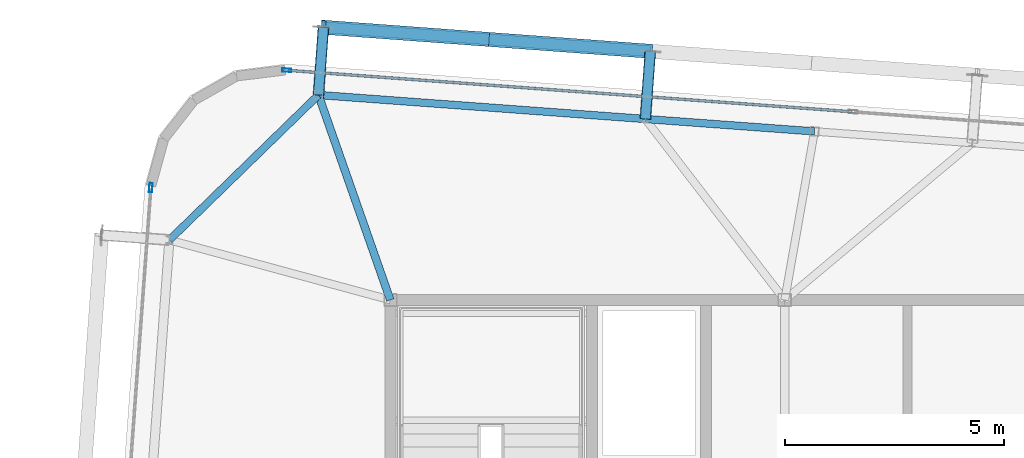
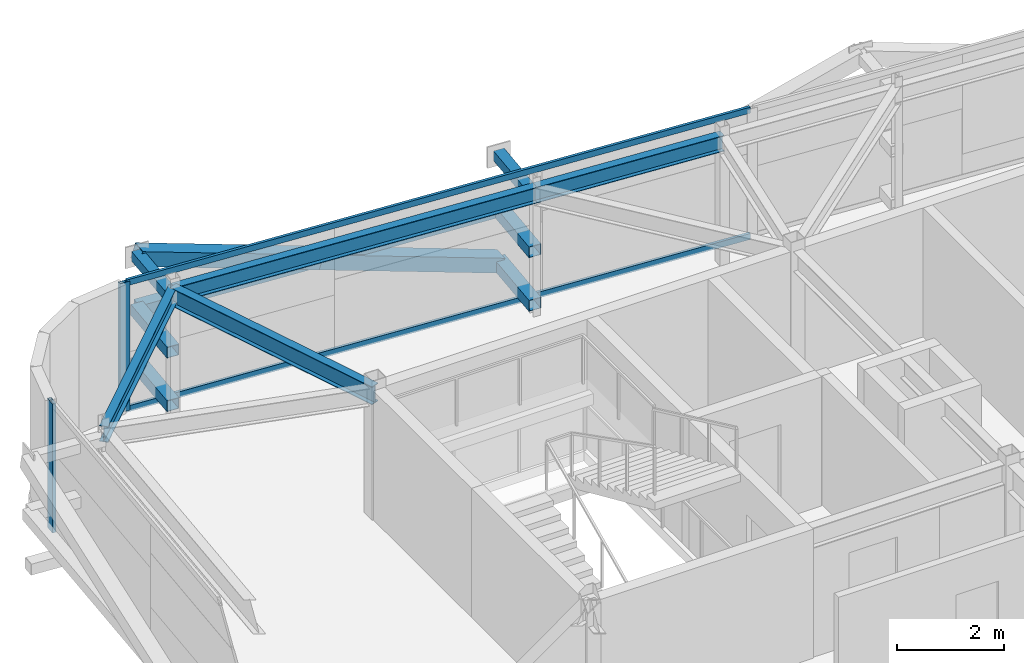
# One storey, part 20 of 34: 13 members, 4 beams, 2 elements without a shape of their own.
"""IFC4 building model written with IfcOpenShell, lengths in metres."""

from ifc_helpers import new_model, si_unit, direction, frame, origin, origin_2d, place, context, subcontext, project, spatial, hollow_rectangle, i_section, extrude, source, transform, mapped, material, layer, layer_set, material_profile, profile_set, type_object, element, aggregate, save


model = new_model("IFC4")

# Units and contexts
model_context = context("Model", 3, precision=1e-05, world=origin(), true_north=direction((0.0, 1.0)))
body_context = subcontext(model_context, "Body", "Model", "MODEL_VIEW")
ifc_project = project(units=[si_unit("LENGTHUNIT", "METRE"), si_unit("AREAUNIT", "SQUARE_METRE"), si_unit("VOLUMEUNIT", "CUBIC_METRE"), si_unit("PLANEANGLEUNIT", "RADIAN"), si_unit("MASSUNIT", "GRAM", prefix="KILO")], contexts=[model_context])

# Site, building, storey
site_placement = place(None, origin())
site = spatial("IfcSite", under=ifc_project, at=site_placement, CompositionType="ELEMENT")
building_placement = place(site_placement, origin())
building = spatial("IfcBuilding", under=site, at=building_placement, Name="Taldren Reach Tower", CompositionType="ELEMENT")
storey_placement = place(building_placement, frame((0.0, 0.0, 239.75)))
storey = spatial("IfcBuildingStorey", under=building, at=storey_placement, Name="L73", CompositionType="ELEMENT", Elevation=239.75)

# Members
ifc_material_1 = material(Name="Steel Gr 350 (C350L0)", Category="steel")
ifc_material_profile_1 = material_profile(ifc_material_1, hollow_rectangle(XDim=0.25, YDim=0.25, WallThickness=0.010009765625, at=origin_2d()), Name="250x250x10.0SHS")
ifc_profile_set_1 = profile_set([ifc_material_profile_1], Name="Steel Gr 350 (C350L0)")
member_type_1 = type_object("IfcMemberType", Name="MB-POST250", PredefinedType="POST", material=ifc_profile_set_1)
shared_shape_1 = source(origin(), body_context, "Body", "SweptSolid", [
    extrude(hollow_rectangle(XDim=0.25, YDim=0.25, WallThickness=0.010009765625, at=origin_2d()), origin(), (0.0, 0.0, 1.0), 1.5498046875),
])
for number, where, z_axis, x_axis, name in (
    (1, (17.35986328125, 36.678955078125, 0.219970703125), (0.073250797913, 0.997313551801, 0.0), (-0.997313551801, 0.073250797913, 0.0), "Exoskeleton base diaphragm tie strut B5-N1 L73"),
    (2, (17.35986328125, 36.678955078125, 1.43505859375), (0.073250797913, 0.997313551801, 0.0), (-0.997313551801, 0.073250797913, 0.0), "Exoskeleton mid-tier diaphragm tie B5-N1 L73"),
):
    element("IfcMember", number, at=place(storey_placement, frame(where, z_axis=z_axis, x_axis=x_axis)), inside=storey, type_object=member_type_1, Name=name, PredefinedType="POST", context=body_context, shape_type="MappedRepresentation", body=[
        mapped(shared_shape_1, transform((0.0, 0.0, 0.0), scale=1.0)),
    ])
shared_shape_2 = source(origin(), body_context, "Body", "SweptSolid", [
    extrude(hollow_rectangle(XDim=0.25, YDim=0.25, WallThickness=0.010009765625, at=origin_2d()), origin(), (0.0, 0.0, 1.0), 1.550048828125),
])
for number, where, z_axis, x_axis, name in (
    (3, (24.819580078125, 36.131103515625, 0.219970703125), (0.07323929162, 0.997314396849, 0.0), (-0.997314396849, 0.07323929162, 0.0), "Exoskeleton base diaphragm tie strut B5-N2 L73"),
    (4, (24.819580078125, 36.131103515625, 1.43505859375), (0.07323929162, 0.997314396849, 0.0), (-0.997314396849, 0.07323929162, 0.0), "Exoskeleton mid-tier diaphragm tie B5-N2 L73"),
):
    element("IfcMember", number, at=place(storey_placement, frame(where, z_axis=z_axis, x_axis=x_axis)), inside=storey, type_object=member_type_1, Name=name, PredefinedType="POST", context=body_context, shape_type="MappedRepresentation", body=[
        mapped(shared_shape_2, transform((0.0, 0.0, 0.0), scale=1.0)),
    ])
ifc_material_2 = material(Name="Steel Gr 450 (C450L0)", Category="steel")
ifc_material_profile_2 = material_profile(ifc_material_2, hollow_rectangle(XDim=0.219970703125, YDim=0.219970703125, WallThickness=0.00830078125, at=origin_2d()), Name="220x220x8.2SHS")
ifc_profile_set_2 = profile_set([ifc_material_profile_2], Name="Steel Gr 450 (C450L0)")
member_type_2 = type_object("IfcMemberType", Name="MB-TIE219", PredefinedType="STRUT", material=ifc_profile_set_2)
shared_shape_3 = source(origin(), body_context, "Body", "SweptSolid", [
    extrude(hollow_rectangle(XDim=0.219970703125, YDim=0.219970703125, WallThickness=0.00830078125, at=origin_2d()), origin(), (0.0, 0.0, 1.0), 1.5498046875),
])
member_1_placement = place(storey_placement, frame((17.35986328125, 36.678955078125, 2.64990234375), z_axis=(0.073250797913, 0.997313551801, 0.0), x_axis=(-0.997313551801, 0.073250797913, 0.0)))
element("IfcMember", 5, at=member_1_placement, inside=storey, type_object=member_type_2, Name="Exoskeleton diaphragm tie strut B5-N1 L73", PredefinedType="STRUT", context=body_context, shape_type="MappedRepresentation", body=[
    mapped(shared_shape_3, transform((0.0, 0.0, 0.0), scale=1.0)),
])
shared_shape_4 = source(origin(), body_context, "Body", "SweptSolid", [
    extrude(hollow_rectangle(XDim=0.219970703125, YDim=0.219970703125, WallThickness=0.00830078125, at=origin_2d()), origin(), (0.0, 0.0, 1.0), 1.550048828125),
])
member_2_placement = place(storey_placement, frame((24.819580078125, 36.131103515625, 2.64990234375), z_axis=(0.07323929162, 0.997314396849, 0.0), x_axis=(-0.997314396849, 0.07323929162, 0.0)))
element("IfcMember", 6, at=member_2_placement, inside=storey, type_object=member_type_2, Name="Exoskeleton diaphragm tie strut B5-N2 L73", PredefinedType="STRUT", context=body_context, shape_type="MappedRepresentation", body=[
    mapped(shared_shape_4, transform((0.0, 0.0, 0.0), scale=1.0)),
])

# Beams
ifc_material_3 = material(Name="Steel Gr 350 (350PLUS)", Category="steel")
ifc_material_profile_3 = material_profile(ifc_material_3, i_section(OverallWidth=0.172119140625, OverallDepth=0.35888671875, WebThickness=0.008056640625, FlangeThickness=0.012939453125, at=origin_2d()), Name="360UB56.7")
ifc_profile_set_3 = profile_set([ifc_material_profile_3], Name="Steel Gr 350 (350PLUS)")
beam_type_1 = type_object("IfcBeamType", Name="SP-UB360", PredefinedType="SPANDREL", material=ifc_profile_set_3)
shared_shape_5 = source(origin(), body_context, "Body", "SweptSolid", [
    extrude(i_section(OverallWidth=0.172119140625, OverallDepth=0.35888671875, WebThickness=0.008056640625, FlangeThickness=0.012939453125, at=origin_2d()), origin(), (0.0, 0.0, 1.0), 7.479736328125),
])
beam_1_placement = place(storey_placement, frame((24.819580078125, 36.131103515625, 2.75048828125), z_axis=(-0.997314045547, 0.073244075215, 0.0), x_axis=(-0.073244075215, -0.997314045547, 0.0)))
element("IfcBeam", 7, at=beam_1_placement, inside=storey, type_object=beam_type_1, Name="Perimeter spandrel B5 N2-N1 L73", PredefinedType="SPANDREL", context=body_context, shape_type="MappedRepresentation", body=[
    mapped(shared_shape_5, transform((0.0, 0.0, 0.0), scale=1.0)),
])
shared_shape_6 = source(origin(), body_context, "Body", "SweptSolid", [
    extrude(i_section(OverallWidth=0.172119140625, OverallDepth=0.35888671875, WebThickness=0.008056640625, FlangeThickness=0.012939453125, at=origin_2d()), origin(), (0.0, 0.0, 1.0), 4.74609375),
])
beam_2_placement = place(storey_placement, frame((17.35986328125, 36.678955078125, 2.75048828125), z_axis=(-0.716711338436, -0.697369957309, 0.0), x_axis=(0.697369957309, -0.716711338436, 0.0)))
element("IfcBeam", 8, at=beam_2_placement, inside=storey, type_object=beam_type_1, Name="Perimeter spandrel B5 N1-W3 L73", PredefinedType="SPANDREL", context=body_context, shape_type="MappedRepresentation", body=[
    mapped(shared_shape_6, transform((0.0, 0.0, 0.0), scale=1.0)),
])
shared_shape_7 = source(origin(), body_context, "Body", "SweptSolid", [
    extrude(i_section(OverallWidth=0.172119140625, OverallDepth=0.35888671875, WebThickness=0.008056640625, FlangeThickness=0.012939453125, at=origin_2d()), origin(), (0.0, 0.0, 1.0), 3.8701171875),
])
beam_3_placement = place(storey_placement, frame((28.67919921875, 35.84765625, 2.75048828125), z_axis=(-0.997314202545, 0.073241937451, 0.0), x_axis=(-0.073241937451, -0.997314202545, 0.0)))
element("IfcBeam", 9, at=beam_3_placement, inside=storey, type_object=beam_type_1, Name="Perimeter spandrel B5 PJN1-N2 L73", PredefinedType="SPANDREL", context=body_context, shape_type="MappedRepresentation", body=[
    mapped(shared_shape_7, transform((0.0, 0.0, 0.0), scale=1.0)),
])
ifc_material_profile_4 = material_profile(ifc_material_3, i_section(OverallWidth=0.177978515625, OverallDepth=0.406005859375, WebThickness=0.0078125, FlangeThickness=0.0126953125, at=origin_2d()), Name="410UB59.7")
ifc_profile_set_4 = profile_set([ifc_material_profile_4], Name="Steel Gr 350 (350PLUS)")
beam_type_2 = type_object("IfcBeamType", Name="BM-UB410", PredefinedType="BEAM", material=ifc_profile_set_4)
shared_shape_8 = source(origin(), body_context, "Body", "SweptSolid", [
    extrude(i_section(OverallWidth=0.177978515625, OverallDepth=0.406005859375, WebThickness=0.0078125, FlangeThickness=0.0126953125, at=origin_2d()), origin(), (0.0, 0.0, 1.0), 4.9580078125),
])
beam_4_placement = place(storey_placement, frame((19.0, 32.0, 2.72705078125), z_axis=(-0.330800025288, 0.943700875951, 0.0), x_axis=(-0.943700875951, -0.330800025288, 0.0)))
element("IfcBeam", 10, at=beam_4_placement, inside=storey, type_object=beam_type_2, Name="Primary floor girder B5-N1 L73", PredefinedType="BEAM", context=body_context, shape_type="MappedRepresentation", body=[
    mapped(shared_shape_8, transform((0.0, 0.0, 0.0), scale=1.0)),
])

# Members
ifc_material_profile_5 = material_profile(ifc_material_2, hollow_rectangle(XDim=0.324951171875, YDim=0.324951171875, WallThickness=0.0126953125, at=origin_2d()), Name="325x325x12.7SHS")
ifc_profile_set_5 = profile_set([ifc_material_profile_5], Name="Steel Gr 450 (C450L0)")
member_type_3 = type_object("IfcMemberType", Name="MB-BR324", PredefinedType="BRACE", material=ifc_profile_set_5)
shared_shape_9 = source(origin(), body_context, "Body", "SweptSolid", [
    extrude(hollow_rectangle(XDim=0.324951171875, YDim=0.324951171875, WallThickness=0.0126953125, at=origin_2d()), origin(), (0.0, 0.0, 1.0), 3.932373046875),
])
member_3_placement = place(storey_placement, frame((21.203369140625, 37.95068359375, 1.43505859375), z_axis=(-0.948529326954, 0.06965898055, 0.308933232813), x_axis=(-0.07324169103, -0.997314220642, 0.0)))
element("IfcMember", 11, at=member_3_placement, inside=storey, type_object=member_type_3, Name="Exoskeleton Diagrid Brace B5-N1 L73", PredefinedType="BRACE", context=body_context, shape_type="MappedRepresentation", body=[
    mapped(shared_shape_9, transform((0.0, 0.0, 0.0), scale=1.0)),
])
shared_shape_10 = source(origin(), body_context, "Body", "SweptSolid", [
    extrude(hollow_rectangle(XDim=0.324951171875, YDim=0.324951171875, WallThickness=0.0126953125, at=origin_2d()), origin(), (0.0, 0.0, 1.0), 3.93212890625),
])
member_4_placement = place(storey_placement, frame((24.93310546875, 37.677001953125, 0.219970703125), z_axis=(-0.948509004245, 0.069599960317, 0.309008922833), x_axis=(-0.073181527281, -0.997318637179, 0.0)))
element("IfcMember", 12, at=member_4_placement, inside=storey, type_object=member_type_3, Name="Exoskeleton Diagrid Brace B5-N1 L73", PredefinedType="BRACE", context=body_context, shape_type="MappedRepresentation", body=[
    mapped(shared_shape_10, transform((0.0, 0.0, 0.0), scale=1.0)),
])
shared_shape_11 = source(origin(), body_context, "Body", "SweptSolid", [
    extrude(hollow_rectangle(XDim=0.25, YDim=0.25, WallThickness=0.010009765625, at=origin_2d()), origin(), (0.0, 0.0, 1.0), 7.479736328125),
])
member_5_placement = place(storey_placement, frame((17.473388671875, 38.224609375, 1.43505859375), z_axis=(0.997316429287, -0.07321161024, 0.0), x_axis=(0.07321161024, 0.997316429287, 0.0)))
element("IfcMember", 13, at=member_5_placement, inside=storey, type_object=member_type_1, Name="Exoskeleton mid-height ring chord B5-N1 L73", PredefinedType="POST", context=body_context, shape_type="MappedRepresentation", body=[
    mapped(shared_shape_11, transform((0.0, 0.0, 0.0), scale=1.0)),
])

# Curtain wall, members
ifc_material_4 = material(Name="Aluminium and Low-E Glass Unitised System", Category="aluminium")
ifc_layer = layer(ifc_material_4, 0.159912109375)
ifc_layer_set = layer_set([ifc_layer], Name="Aluminium and Low-E Glass Unitised System")
curtain_wall_type = type_object("IfcCurtainWallType", Name="CW-SYS-6", PredefinedType="NOTDEFINED", material=ifc_layer_set)
curtain_wall_1_placement = place(storey_placement, origin())
curtain_wall_1 = element("IfcCurtainWall", 14, at=curtain_wall_1_placement, inside=storey, type_object=curtain_wall_type, Name="Unitised curtain wall CW-L73-N", PredefinedType="NOTDEFINED")
ifc_material_5 = material(Name="Anodised Aluminium 6063-T6", Category="aluminium")
ifc_material_profile_6 = material_profile(ifc_material_5, hollow_rectangle(XDim=0.06005859375, YDim=0.135009765625, WallThickness=0.00341796875, at=origin_2d()), Name="ALU-135x60x3.5RHS")
ifc_profile_set_6 = profile_set([ifc_material_profile_6], Name="Anodised Aluminium 6063-T6")
member_type_4 = type_object("IfcMemberType", Name="CW-TRN-150", PredefinedType="USERDEFINED", material=ifc_profile_set_6)
shared_shape_12 = source(origin(), body_context, "Body", "SweptSolid", [
    extrude(hollow_rectangle(XDim=0.06005859375, YDim=0.135009765625, WallThickness=0.00341796875, at=origin_2d()), origin(), (0.0, 0.0, 1.0), 12.887451171875),
])
member_6_placement = place(storey_placement, frame((29.52685546875, 36.296630859375, 0.030029296875), z_axis=(-0.997314487101, 0.07323806263, 0.0), x_axis=(-0.07323806263, -0.997314487101, 0.0)))
member_6 = element("IfcMember", 15, at=member_6_placement, type_object=member_type_4, Name="CW-6 transom 3.1", ObjectType="TRANSOM", PredefinedType="USERDEFINED", context=body_context, shape_type="MappedRepresentation", body=[
    mapped(shared_shape_12, transform((0.0, 0.0, 0.0), scale=1.0)),
])
member_7_placement = place(storey_placement, frame((29.52685546875, 36.296630859375, 2.89990234375), z_axis=(-0.997314487101, 0.07323806263, 0.0), x_axis=(-0.07323806263, -0.997314487101, 0.0)))
member_7 = element("IfcMember", 16, at=member_7_placement, type_object=member_type_4, Name="CW-6 transom 3.2", ObjectType="TRANSOM", PredefinedType="USERDEFINED", context=body_context, shape_type="MappedRepresentation", body=[
    mapped(shared_shape_12, transform((0.0, 0.0, 0.0), scale=1.0)),
])
ifc_material_profile_7 = material_profile(ifc_material_5, hollow_rectangle(XDim=0.074951171875, YDim=0.2099609375, WallThickness=0.00439453125, at=origin_2d()), Name="ALU-210x75x4.5RHS")
ifc_profile_set_7 = profile_set([ifc_material_profile_7], Name="Anodised Aluminium 6063-T6")
member_type_5 = type_object("IfcMemberType", Name="CW-MUL-200", PredefinedType="MULLION", material=ifc_profile_set_7)
shared_shape_13 = source(origin(), body_context, "Body", "SweptSolid", [
    extrude(hollow_rectangle(XDim=0.074951171875, YDim=0.2099609375, WallThickness=0.00439453125, at=origin_2d()), origin(), (0.0, 0.0, 1.0), 2.929931640625),
])
member_8_placement = place(storey_placement, frame((16.63671875, 37.243408203125, 0.0), z_axis=(0.0, 0.0, 1.0), x_axis=(-0.073238213716, -0.997314476006, 0.0)))
member_8 = element("IfcMember", 17, at=member_8_placement, type_object=member_type_5, Name="CW-6 mullion 4", PredefinedType="MULLION", context=body_context, shape_type="MappedRepresentation", body=[
    mapped(shared_shape_13, transform((0.0, 0.0, 0.0), scale=1.0)),
])
aggregate(curtain_wall_1, [member_8, member_6, member_7])

# Curtain wall, member
curtain_wall_2_placement = place(storey_placement, origin())
curtain_wall_2 = element("IfcCurtainWall", 18, at=curtain_wall_2_placement, inside=storey, type_object=curtain_wall_type, Name="Unitised curtain wall CW-L73-W", PredefinedType="NOTDEFINED")
member_9_placement = place(storey_placement, frame((13.53466796875, 34.56591796875, 0.0), z_axis=(0.0, 0.0, 1.0), x_axis=(0.997314470951, -0.073238282558, 0.0)))
member_9 = element("IfcMember", 19, at=member_9_placement, type_object=member_type_5, Name="CW-6 mullion 1", PredefinedType="MULLION", context=body_context, shape_type="MappedRepresentation", body=[
    mapped(shared_shape_13, transform((0.0, 0.0, 0.0), scale=1.0)),
])
aggregate(curtain_wall_2, [member_9])

save(model, "model.ifc")
